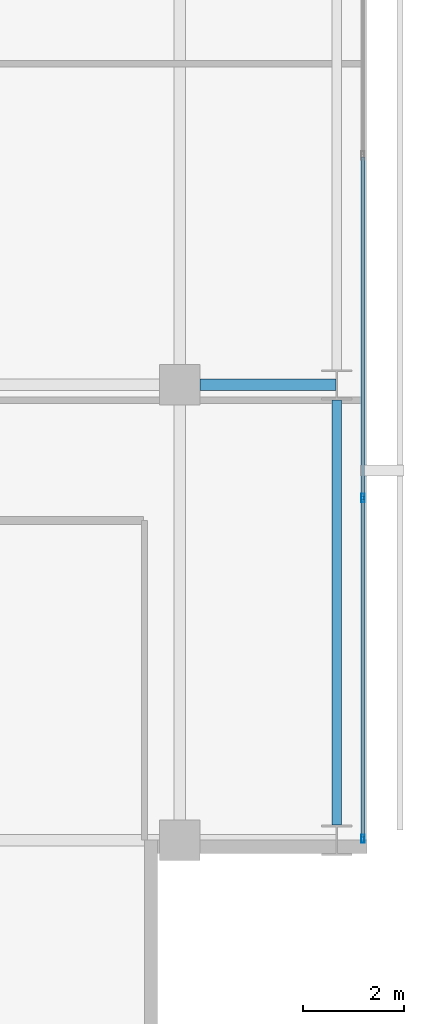
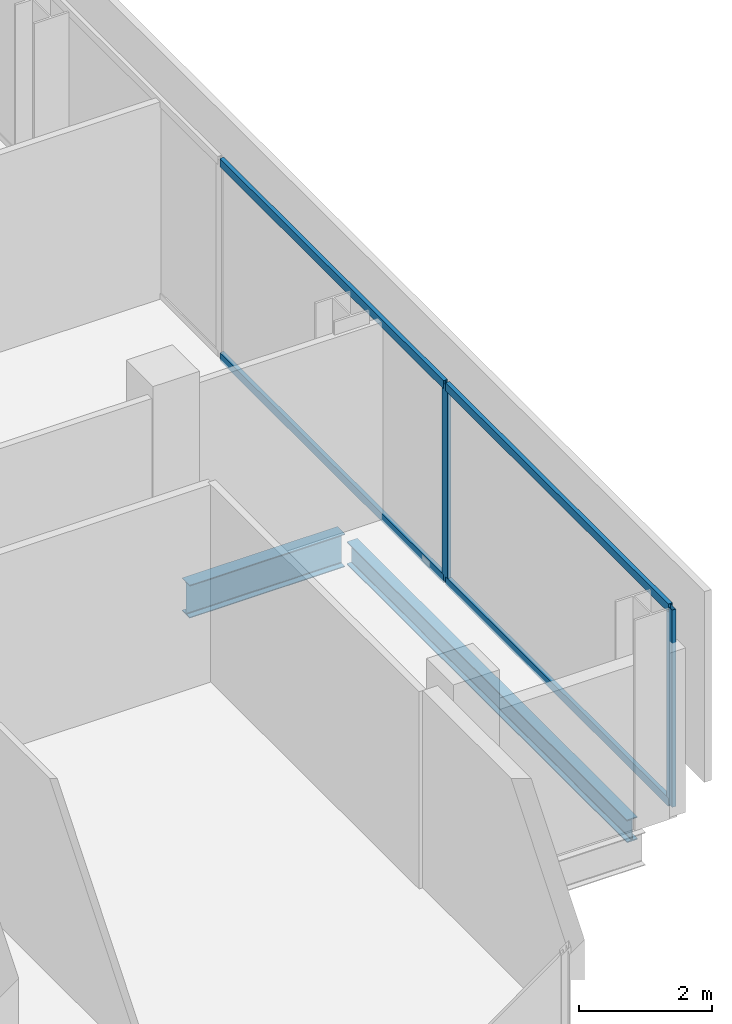
# One storey, part 15 of 32: 6 members, 2 beams, 1 element without a shape of its own.
"""IFC4 building model written with IfcOpenShell, lengths in metres."""

import ifcopenshell
import ifcopenshell.guid

model = None  # the IFC model being written
_history = None  # IfcOwnerHistory: only IFC2X3 demands one
_inside = {}  # id of a spatial element -> (the spatial element, [elements in it])
_under = {}  # id of a project, library or spatial element -> (it, [spatial elements below it])
_declared = {}  # id of a project -> (the project, [libraries it declares])
_typed = {}  # id of a type object -> (the type object, [elements of that type])
_made_of = {}  # id of a material, layer set ... -> (it, [elements and type objects made of it])


def new_model(schema):
    """Start an empty IFC model of exactly this schema.

    Asked for "IFC4X3", IfcOpenShell would pick the latest addendum, in which some entities
    have other attributes; the version numbers below select the first issue.
    IFC2X3 requires an IfcOwnerHistory on every rooted entity: one is made here for all.
    """
    global model, _history
    if schema == "IFC4X3":
        model = ifcopenshell.file(schema_version=(4, 3, 0, 0))
    else:
        model = ifcopenshell.file(schema=schema)
    _inside.clear()
    _under.clear()
    _declared.clear()
    _typed.clear()
    _made_of.clear()
    _history = None
    if model.schema == "IFC2X3":
        org = make("IfcOrganization", Name="unknown")
        user = make(
            "IfcPersonAndOrganization",
            ThePerson=make("IfcPerson", FamilyName="unknown"),
            TheOrganization=org,
        )
        app = make(
            "IfcApplication",
            ApplicationDeveloper=org,
            Version="unknown",
            ApplicationFullName="unknown",
            ApplicationIdentifier="unknown",
        )
        _history = make(
            "IfcOwnerHistory",
            OwningUser=user,
            OwningApplication=app,
            ChangeAction="ADDED",
            CreationDate=0,
        )
    return model


def make(cls, **values):
    """One entity of the class cls with the attributes given. An attribute that is None is left unset."""
    return model.create_entity(
        cls, **{name: value for name, value in values.items() if value is not None}
    )


def rooted(cls, **values):
    """An entity with a GlobalId (a new one), such as an element, a storey or a relation."""
    return make(cls, GlobalId=ifcopenshell.guid.new(), OwnerHistory=_history, **values)


def si_unit(unit_type, name, prefix=None):
    """IfcSIUnit, for example si_unit("LENGTHUNIT", "METRE", prefix="MILLI")."""
    return make("IfcSIUnit", UnitType=unit_type, Prefix=prefix, Name=name)


def assignment(units):
    """IfcUnitAssignment: the units of a project."""
    return None if units is None else make("IfcUnitAssignment", Units=units)


def point(xyz):
    """IfcCartesianPoint."""
    return None if xyz is None else make("IfcCartesianPoint", Coordinates=xyz)


def direction(xyz):
    """IfcDirection."""
    return None if xyz is None else make("IfcDirection", DirectionRatios=xyz)


def frame(location, z_axis=None, x_axis=None):
    """IfcAxis2Placement3D, a coordinate frame: its origin and axes. An axis left out is left unset."""
    return make(
        "IfcAxis2Placement3D",
        Location=point(location),
        Axis=direction(z_axis),
        RefDirection=direction(x_axis),
    )


def frame_2d(location, x_axis=None):
    """IfcAxis2Placement2D, a coordinate frame in the plane: its origin and x axis."""
    return make(
        "IfcAxis2Placement2D", Location=point(location), RefDirection=direction(x_axis)
    )


def origin():
    """The frame at (0, 0, 0) with its axes left unset."""
    return frame((0.0, 0.0, 0.0))


def origin_2d():
    """The frame at (0, 0) in the plane with its x axis left unset."""
    return frame_2d((0.0, 0.0))


def place(relative_to, where):
    """IfcLocalPlacement: puts the frame where relative to a parent placement (None: the world)."""
    return make(
        "IfcLocalPlacement", PlacementRelTo=relative_to, RelativePlacement=where
    )


def context(
    kind, dimensions, precision=None, world=None, true_north=None, identifier=None
):
    """IfcGeometricRepresentationContext, for example the 3D "Model" context."""
    return make(
        "IfcGeometricRepresentationContext",
        ContextIdentifier=identifier,
        ContextType=kind,
        CoordinateSpaceDimension=dimensions,
        Precision=precision,
        WorldCoordinateSystem=world,
        TrueNorth=true_north,
    )


def subcontext(parent, identifier, kind, view, scale=None):
    """IfcGeometricRepresentationSubContext, for example "Body" below "Model"."""
    return make(
        "IfcGeometricRepresentationSubContext",
        ContextIdentifier=identifier,
        ContextType=kind,
        ParentContext=parent,
        TargetScale=scale,
        TargetView=view,
    )


def project(units=None, contexts=None):
    """IfcProject with its units and contexts."""
    return rooted(
        "IfcProject",
        Name="project",
        RepresentationContexts=contexts,
        UnitsInContext=assignment(units),
    )


def spatial(cls, under=None, at=None, **own):
    """A site, building, storey or space (cls), placed at a placement, below another one or the project."""
    s = rooted(cls, ObjectPlacement=at, **own)
    if under is not None:
        _under.setdefault(under.id(), (under, []))[1].append(s)
    return s


def profile(cls, at=None, kind="AREA", **sizes):
    """A parametric profile (cls). Its sizes go by their IFC names, for example OverallWidth=200.0."""
    return make(cls, ProfileType=kind, Position=at, **sizes)


def hollow_rectangle(**sizes):
    """IfcRectangleHollowProfileDef."""
    return profile("IfcRectangleHollowProfileDef", **sizes)


def i_section(**sizes):
    """IfcIShapeProfileDef."""
    return profile("IfcIShapeProfileDef", **sizes)


def extrude(swept, where, along, depth):
    """IfcExtrudedAreaSolid: the profile swept, set in the frame where, extruded along a direction by depth."""
    return make(
        "IfcExtrudedAreaSolid",
        SweptArea=swept,
        Position=where,
        ExtrudedDirection=direction(along),
        Depth=depth,
    )


def shape(context_of_items, identifier, shape_type, items):
    """IfcShapeRepresentation: the items that make up one representation, for example the "Body"."""
    return make(
        "IfcShapeRepresentation",
        ContextOfItems=context_of_items,
        RepresentationIdentifier=identifier,
        RepresentationType=shape_type,
        Items=items,
    )


def material(Name=None, Category=None):
    """IfcMaterial."""
    return make("IfcMaterial", Name=Name, Category=Category)


def layer(
    of_material, thickness, ventilated=None, Name=None, Category=None, Priority=None
):
    """IfcMaterialLayer: one layer of a wall or slab, of a material (None: an air gap)."""
    return make(
        "IfcMaterialLayer",
        Material=of_material,
        LayerThickness=thickness,
        IsVentilated=ventilated,
        Name=Name,
        Category=Category,
        Priority=Priority,
    )


def layer_set(layers, Name=None):
    """IfcMaterialLayerSet."""
    return make("IfcMaterialLayerSet", MaterialLayers=layers, LayerSetName=Name)


def material_profile(
    of_material, cross_section, Name=None, Category=None, Priority=None
):
    """IfcMaterialProfile: a cross section and its material."""
    return make(
        "IfcMaterialProfile",
        Name=Name,
        Material=of_material,
        Profile=cross_section,
        Priority=Priority,
        Category=Category,
    )


def profile_set(profiles, Name=None, composite=None):
    """IfcMaterialProfileSet."""
    return make(
        "IfcMaterialProfileSet",
        Name=Name,
        MaterialProfiles=profiles,
        CompositeProfile=composite,
    )


def made_of(thing, what):
    """Note that an element or type object is made of a material, layer set ...; save() writes the relation."""
    if what is not None:
        _made_of.setdefault(what.id(), (what, []))[1].append(thing)
    return thing


def type_object(cls, material=None, **own):
    """A type object (cls), such as IfcWallType, which elements share."""
    return made_of(rooted(cls, **own), material)


def element(
    cls,
    number,
    at=None,
    inside=None,
    cuts=None,
    type_object=None,
    material=None,
    context=None,
    identifier="Body",
    shape_type=None,
    held_by="IfcProductDefinitionShape",
    body=None,
    shapes=None,
    **own,
):
    """One element of the class cls, such as IfcWall. Its Tag is "e" and its number.

    at: its placement. inside: the storey or other place that contains it. cuts: it is an
    opening in that element (IfcRelVoidsElement). A single representation is given by context,
    identifier, shape_type and body (its items); several are given by shapes. held_by: the class
    of the entity that holds the representations. save() writes the other relations.
    """
    e = rooted(cls, Tag="e%d" % number, ObjectPlacement=at, **own)
    if body is not None:
        shapes = [shape(context, identifier, shape_type, body)]
    if shapes is not None:
        e.Representation = make(held_by, Representations=shapes)
    if inside is not None:
        _inside.setdefault(inside.id(), (inside, []))[1].append(e)
    if cuts is not None:
        rooted(
            "IfcRelVoidsElement", RelatingBuildingElement=cuts, RelatedOpeningElement=e
        )
    if type_object is not None:
        _typed.setdefault(type_object.id(), (type_object, []))[1].append(e)
    return made_of(e, material)


def aggregate(whole, parts):
    """IfcRelAggregates: a whole, such as a stair, and the parts it consists of."""
    return rooted("IfcRelAggregates", RelatingObject=whole, RelatedObjects=parts)


def save(model, path):
    """Write the relations noted so far, then the file.

    IfcRelAggregates (storeys below a building ...), IfcRelContainedInSpatialStructure (elements
    in a storey), IfcRelDefinesByType, IfcRelAssociatesMaterial and IfcRelDeclares: one each for
    every whole, place, type object, material and project.
    """
    for whole, parts in _under.values():
        aggregate(whole, parts)
    for where, things in _inside.values():
        rooted(
            "IfcRelContainedInSpatialStructure",
            RelatedElements=things,
            RelatingStructure=where,
        )
    for kind, things in _typed.values():
        rooted("IfcRelDefinesByType", RelatedObjects=things, RelatingType=kind)
    for what, things in _made_of.values():
        rooted("IfcRelAssociatesMaterial", RelatedObjects=things, RelatingMaterial=what)
    for by, libraries in _declared.values():
        rooted("IfcRelDeclares", RelatingContext=by, RelatedDefinitions=libraries)
    model.write(path)


model = new_model("IFC4")

# Units and contexts
model_context = context("Model", 3, precision=1e-05, world=origin(), true_north=direction((0.0, 1.0)))
body_context = subcontext(model_context, "Body", "Model", "MODEL_VIEW")
ifc_project = project(units=[si_unit("LENGTHUNIT", "METRE"), si_unit("AREAUNIT", "SQUARE_METRE"), si_unit("VOLUMEUNIT", "CUBIC_METRE"), si_unit("PLANEANGLEUNIT", "RADIAN"), si_unit("MASSUNIT", "GRAM", prefix="KILO")], contexts=[model_context])

# Site, building, storey
site_placement = place(None, origin())
site = spatial("IfcSite", under=ifc_project, at=site_placement, CompositionType="ELEMENT")
building_placement = place(site_placement, origin())
building = spatial("IfcBuilding", under=site, at=building_placement, Name="Maruvema Waterfront Hotel and Observation Tower", CompositionType="ELEMENT")
storey_placement = place(building_placement, frame((0.0, 0.0, 162.050048828125)))
storey = spatial("IfcBuildingStorey", under=building, at=storey_placement, Name="L39", CompositionType="ELEMENT", Elevation=162.050048828125)

# Curtain wall, members
ifc_material_1 = material(Name="Anodised bronze aluminium and solar-control low-E IGU", Category="aluminium")
ifc_layer = layer(ifc_material_1, 0.159912109375, Name="Zone 2 Amber Inner Thermal Curtain Wall System CW-03")
ifc_layer_set = layer_set([ifc_layer], Name="Anodised bronze aluminium and solar-control low-E IGU")
curtain_wall_type = type_object("IfcCurtainWallType", Name="Zone 2 Amber Inner Thermal Curtain Wall System CW-03", PredefinedType="USERDEFINED", material=ifc_layer_set)
curtain_wall_placement = place(storey_placement, origin())
curtain_wall = element("IfcCurtainWall", 1, at=curtain_wall_placement, inside=storey, type_object=curtain_wall_type, Name="L39 Curtain Wall CW-L39-E", ObjectType="UNITISED CURTAIN WALL", PredefinedType="USERDEFINED")
ifc_material_2 = material(Name="Anodised architectural bronze aluminium", Category="aluminium")
ifc_material_profile_1 = material_profile(ifc_material_2, hollow_rectangle(XDim=0.070068359375, YDim=0.14990234375, WallThickness=0.00390625, at=origin_2d()), Name="ALU-T70x150")
ifc_profile_set_1 = profile_set([ifc_material_profile_1], Name="Anodised architectural bronze aluminium")
member_type_1 = type_object("IfcMemberType", Name="Curtain Wall Horizontal Transom ALU-T70x150", PredefinedType="USERDEFINED", material=ifc_profile_set_1)
member_1_placement = place(storey_placement, frame((62.419921875, 9.06005859375, 0.030029296875), z_axis=(0.0, 1.0, 0.0), x_axis=(-1.0, 0.0, 0.0)))
member_1 = element("IfcMember", 2, at=member_1_placement, type_object=member_type_1, Name="CW-03 transom 1.1", ObjectType="TRANSOM", PredefinedType="USERDEFINED", context=body_context, shape_type="SweptSolid", body=[
    extrude(hollow_rectangle(XDim=0.070068359375, YDim=0.14990234375, WallThickness=0.00390625, at=origin_2d()), origin(), (0.0, 0.0, 1.0), 6.676513671875),
])
member_2_placement = place(storey_placement, frame((62.419921875, 9.06005859375, 3.579833984375), z_axis=(0.0, 1.0, 0.0), x_axis=(-1.0, 0.0, 0.0)))
member_2 = element("IfcMember", 3, at=member_2_placement, type_object=member_type_1, Name="CW-03 transom 1.2", ObjectType="TRANSOM", PredefinedType="USERDEFINED", context=body_context, shape_type="SweptSolid", body=[
    extrude(hollow_rectangle(XDim=0.070068359375, YDim=0.14990234375, WallThickness=0.00390625, at=origin_2d()), origin(), (0.0, 0.0, 1.0), 6.676513671875),
])
member_3_placement = place(storey_placement, frame((62.419921875, 15.796630859375, 0.030029296875), z_axis=(0.0, 1.0, 0.0), x_axis=(-1.0, 0.0, 0.0)))
member_3 = element("IfcMember", 4, at=member_3_placement, type_object=member_type_1, Name="CW-03 transom 2.1", ObjectType="TRANSOM", PredefinedType="USERDEFINED", context=body_context, shape_type="SweptSolid", body=[
    extrude(hollow_rectangle(XDim=0.070068359375, YDim=0.14990234375, WallThickness=0.00390625, at=origin_2d()), origin(), (0.0, 0.0, 1.0), 6.706787109375),
])
member_4_placement = place(storey_placement, frame((62.419921875, 15.796630859375, 3.579833984375), z_axis=(0.0, 1.0, 0.0), x_axis=(-1.0, 0.0, 0.0)))
member_4 = element("IfcMember", 5, at=member_4_placement, type_object=member_type_1, Name="CW-03 transom 2.2", ObjectType="TRANSOM", PredefinedType="USERDEFINED", context=body_context, shape_type="SweptSolid", body=[
    extrude(hollow_rectangle(XDim=0.070068359375, YDim=0.14990234375, WallThickness=0.00390625, at=origin_2d()), origin(), (0.0, 0.0, 1.0), 6.706787109375),
])
ifc_material_3 = material(Name="Anodised architectural bronze aluminium", Category="aluminium")
ifc_material_profile_2 = material_profile(ifc_material_3, hollow_rectangle(XDim=0.06494140625, YDim=0.1650390625, WallThickness=0.00390625, at=origin_2d()), Name="ALU-M65x165")
ifc_profile_set_2 = profile_set([ifc_material_profile_2], Name="Anodised architectural bronze aluminium")
member_type_2 = type_object("IfcMemberType", Name="Curtain Wall Primary Mullion ALU-M65x165", PredefinedType="MULLION", material=ifc_profile_set_2)
member_5_placement = place(storey_placement, frame((62.419921875, 9.030029296875, 0.0), z_axis=(0.0, 0.0, 1.0), x_axis=(-1.0, 0.0, 0.0)))
member_5 = element("IfcMember", 6, at=member_5_placement, type_object=member_type_2, Name="CW-03 mullion 1", PredefinedType="MULLION", context=body_context, shape_type="SweptSolid", body=[
    extrude(hollow_rectangle(XDim=0.06494140625, YDim=0.1650390625, WallThickness=0.00390625, at=origin_2d()), origin(), (0.0, 0.0, 1.0), 3.60986328125),
])
member_6_placement = place(storey_placement, frame((62.419921875, 15.7666015625, 0.0), z_axis=(0.0, 0.0, 1.0), x_axis=(-1.0, 0.0, 0.0)))
member_6 = element("IfcMember", 7, at=member_6_placement, type_object=member_type_2, Name="CW-03 mullion 2", PredefinedType="MULLION", context=body_context, shape_type="SweptSolid", body=[
    extrude(hollow_rectangle(XDim=0.06494140625, YDim=0.1650390625, WallThickness=0.00390625, at=origin_2d()), origin(), (0.0, 0.0, 1.0), 3.60986328125),
])
aggregate(curtain_wall, [member_5, member_6, member_1, member_2, member_3, member_4])

# Beams
ifc_material_4 = material(Name="Steel ASTM A572 Grade 50", Category="steel")
ifc_material_profile_3 = material_profile(ifc_material_4, i_section(OverallWidth=0.180908203125, OverallDepth=0.4169921875, WebThickness=0.010986328125, FlangeThickness=0.018310546875, FilletRadius=0.014892578125, at=origin_2d()), Name="W410x85.0")
ifc_profile_set_3 = profile_set([ifc_material_profile_3], Name="Steel ASTM A572 Grade 50")
beam_type_1 = type_object("IfcBeamType", Name="Perimeter Spandrel Beam W410x85.0", PredefinedType="SPANDREL", material=ifc_profile_set_3)
beam_1_placement = place(storey_placement, frame((61.89990234375, 9.300048828125, -0.448486328125), z_axis=(0.0, 1.0, 0.0), x_axis=(-1.0, 0.0, 0.0)))
element("IfcBeam", 8, at=beam_1_placement, inside=storey, type_object=beam_type_1, Name="L39 Floor Girder NS-29", PredefinedType="SPANDREL", context=body_context, shape_type="SweptSolid", body=[
    extrude(i_section(OverallWidth=0.180908203125, OverallDepth=0.4169921875, WebThickness=0.010986328125, FlangeThickness=0.018310546875, FilletRadius=0.014892578125, at=origin_2d()), origin(), (0.0, 0.0, 1.0), 8.39990234375),
])
ifc_material_5 = material(Name="Steel ASTM A572 Grade 50", Category="steel")
ifc_material_profile_4 = material_profile(ifc_material_5, i_section(OverallWidth=0.22802734375, OverallDepth=0.60302734375, WebThickness=0.010498046875, FlangeThickness=0.014892578125, FilletRadius=0.01806640625, at=origin_2d()), Name="W610x101.0")
ifc_profile_set_4 = profile_set([ifc_material_profile_4], Name="Steel ASTM A572 Grade 50")
beam_type_2 = type_object("IfcBeamType", Name="Primary Floor Girder W610x101.0", PredefinedType="BEAM", material=ifc_profile_set_4)
beam_2_placement = place(storey_placement, frame((59.199951171875, 18.0, -0.54150390625), z_axis=(1.0, 0.0, 0.0), x_axis=(0.0, 1.0, 0.0)))
element("IfcBeam", 9, at=beam_2_placement, inside=storey, type_object=beam_type_2, Name="L39 Floor Girder EW-17", PredefinedType="BEAM", context=body_context, shape_type="SweptSolid", body=[
    extrude(i_section(OverallWidth=0.22802734375, OverallDepth=0.60302734375, WebThickness=0.010498046875, FlangeThickness=0.014892578125, FilletRadius=0.01806640625, at=origin_2d()), origin(), (0.0, 0.0, 1.0), 2.6875),
])

save(model, "model.ifc")
